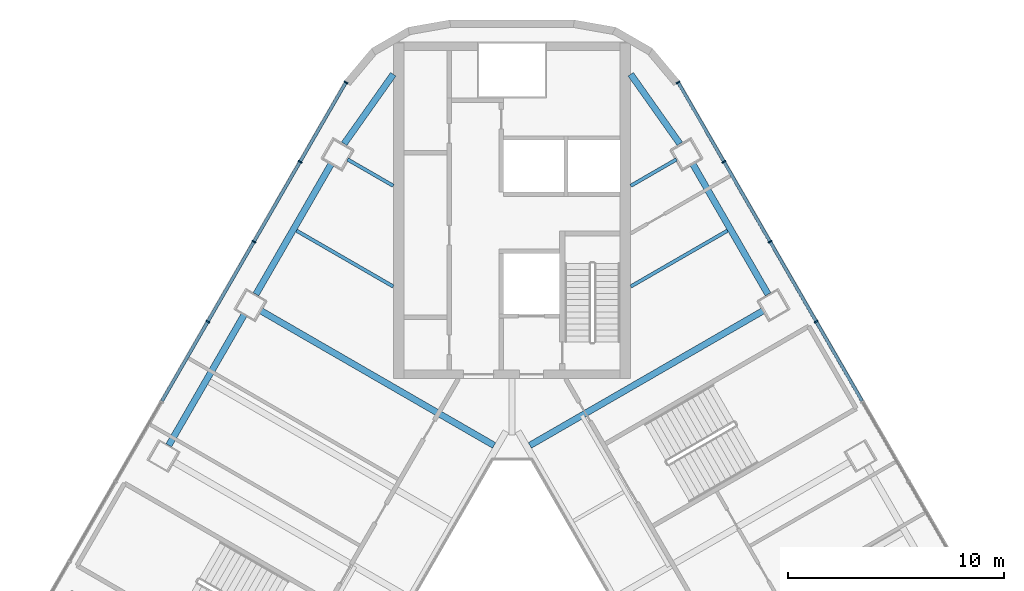
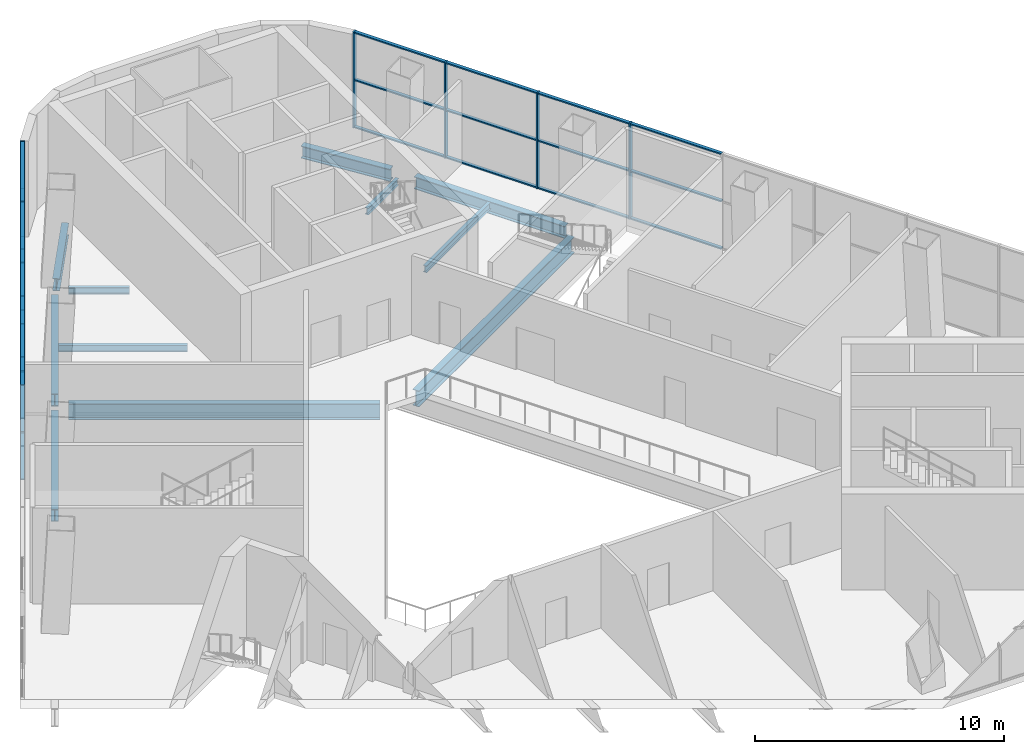
# One storey, part 5 of 13: 32 members, 11 beams, 2 elements without a shape of their own.
"""IFC4 building model written with IfcOpenShell, lengths in metres."""

from ifc_helpers import new_model, si_unit, direction, frame, origin, origin_2d, place, context, subcontext, project, spatial, rectangle, i_section, extrude, material, layer, layer_set, material_profile, profile_set, type_object, element, aggregate, save


model = new_model("IFC4")

# Units and contexts
model_context = context("Model", 3, precision=1e-05, world=origin(), true_north=direction((0.0, 1.0)))
body_context = subcontext(model_context, "Body", "Model", "MODEL_VIEW")
ifc_project = project(units=[si_unit("LENGTHUNIT", "METRE"), si_unit("AREAUNIT", "SQUARE_METRE"), si_unit("VOLUMEUNIT", "CUBIC_METRE"), si_unit("PLANEANGLEUNIT", "RADIAN"), si_unit("MASSUNIT", "GRAM", prefix="KILO")], contexts=[model_context])

# Site, building, storey
site_placement = place(None, origin())
site = spatial("IfcSite", under=ifc_project, at=site_placement, CompositionType="ELEMENT")
building_placement = place(site_placement, origin())
building = spatial("IfcBuilding", under=site, at=building_placement, Name="Apuvela Tower Hotel", CompositionType="ELEMENT")
storey_placement = place(building_placement, frame((0.0, 0.0, 23.5)))
storey = spatial("IfcBuildingStorey", under=building, at=storey_placement, Name="L03", CompositionType="ELEMENT", Elevation=23.5)

# Curtain wall, members
ifc_material_1 = material(Name="Aluminium 6063-T6, dark bronze anodised", Category="aluminium")
ifc_layer = layer(ifc_material_1, 0.199951171875)
ifc_layer_set = layer_set([ifc_layer], Name="ENV-CW-P")
curtain_wall_type = type_object("IfcCurtainWallType", Name="ENV-CW-P", PredefinedType="NOTDEFINED", material=ifc_layer_set)
curtain_wall_1_placement = place(storey_placement, origin())
curtain_wall_1 = element("IfcCurtainWall", 1, at=curtain_wall_1_placement, inside=storey, type_object=curtain_wall_type, Name="Curtain wall CW-P NE L03", PredefinedType="NOTDEFINED")
ifc_material_profile_1 = material_profile(ifc_material_1, rectangle(XDim=0.199951171875, YDim=0.06494140625, at=origin_2d()), Name="AL 65x200")
ifc_profile_set_1 = profile_set([ifc_material_profile_1], Name="Aluminium 6063-T6, dark bronze anodised")
member_type_1 = type_object("IfcMemberType", Name="ENV-MULLION-65x200", PredefinedType="MULLION", material=ifc_profile_set_1)
member_1_placement = place(storey_placement, frame((14.092529296875, 15.54296875, 0.0), z_axis=(0.0, 0.0, 1.0), x_axis=(-0.866025577183, -0.499999699665, 0.0)))
member_1 = element("IfcMember", 2, at=member_1_placement, type_object=member_type_1, Name="CW-P mullion 7", PredefinedType="MULLION", context=body_context, shape_type="SweptSolid", body=[
    extrude(rectangle(XDim=0.199951171875, YDim=0.06494140625, at=origin_2d()), origin(), (0.0, 0.0, 1.0), 4.699951171875),
])
member_2_placement = place(storey_placement, frame((11.954345703125, 19.246337890625, 0.0), z_axis=(0.0, 0.0, 1.0), x_axis=(-0.866025577183, -0.499999699665, 0.0)))
member_2 = element("IfcMember", 3, at=member_2_placement, type_object=member_type_1, Name="CW-P mullion 8", PredefinedType="MULLION", context=body_context, shape_type="SweptSolid", body=[
    extrude(rectangle(XDim=0.199951171875, YDim=0.06494140625, at=origin_2d()), origin(), (0.0, 0.0, 1.0), 4.699951171875),
])
member_3_placement = place(storey_placement, frame((9.816162109375, 22.94970703125, 0.0), z_axis=(0.0, 0.0, 1.0), x_axis=(-0.866025577183, -0.499999699665, 0.0)))
member_3 = element("IfcMember", 4, at=member_3_placement, type_object=member_type_1, Name="CW-P mullion 9", PredefinedType="MULLION", context=body_context, shape_type="SweptSolid", body=[
    extrude(rectangle(XDim=0.199951171875, YDim=0.06494140625, at=origin_2d()), origin(), (0.0, 0.0, 1.0), 4.699951171875),
])
member_4_placement = place(storey_placement, frame((7.6943359375, 26.625, 0.0), z_axis=(0.0, 0.0, 1.0), x_axis=(-0.866025577183, -0.499999699665, 0.0)))
member_4 = element("IfcMember", 5, at=member_4_placement, type_object=member_type_1, Name="CW-P mullion 10", PredefinedType="MULLION", context=body_context, shape_type="SweptSolid", body=[
    extrude(rectangle(XDim=0.199951171875, YDim=0.06494140625, at=origin_2d()), origin(), (0.0, 0.0, 1.0), 4.699951171875),
])

curtain_wall_2_placement = place(storey_placement, origin())
curtain_wall_2 = element("IfcCurtainWall", 6, at=curtain_wall_2_placement, inside=storey, type_object=curtain_wall_type, Name="Curtain wall CW-P NW L03", PredefinedType="NOTDEFINED")
member_5_placement = place(storey_placement, frame((-7.6943359375, 26.625, 0.0), z_axis=(0.0, 0.0, 1.0), x_axis=(0.866025577183, -0.499999699665, 0.0)))
member_5 = element("IfcMember", 7, at=member_5_placement, type_object=member_type_1, Name="CW-P mullion 1", PredefinedType="MULLION", context=body_context, shape_type="SweptSolid", body=[
    extrude(rectangle(XDim=0.199951171875, YDim=0.06494140625, at=origin_2d()), origin(), (0.0, 0.0, 1.0), 4.699951171875),
])
member_6_placement = place(storey_placement, frame((-9.816162109375, 22.94970703125, 0.0), z_axis=(0.0, 0.0, 1.0), x_axis=(0.866025577183, -0.499999699665, 0.0)))
member_6 = element("IfcMember", 8, at=member_6_placement, type_object=member_type_1, Name="CW-P mullion 2", PredefinedType="MULLION", context=body_context, shape_type="SweptSolid", body=[
    extrude(rectangle(XDim=0.199951171875, YDim=0.06494140625, at=origin_2d()), origin(), (0.0, 0.0, 1.0), 4.699951171875),
])
member_7_placement = place(storey_placement, frame((-11.954345703125, 19.246337890625, 0.0), z_axis=(0.0, 0.0, 1.0), x_axis=(0.866025577183, -0.499999699665, 0.0)))
member_7 = element("IfcMember", 9, at=member_7_placement, type_object=member_type_1, Name="CW-P mullion 3", PredefinedType="MULLION", context=body_context, shape_type="SweptSolid", body=[
    extrude(rectangle(XDim=0.199951171875, YDim=0.06494140625, at=origin_2d()), origin(), (0.0, 0.0, 1.0), 4.699951171875),
])
member_8_placement = place(storey_placement, frame((-14.092529296875, 15.54296875, 0.0), z_axis=(0.0, 0.0, 1.0), x_axis=(0.866025577183, -0.499999699665, 0.0)))
member_8 = element("IfcMember", 10, at=member_8_placement, type_object=member_type_1, Name="CW-P mullion 4", PredefinedType="MULLION", context=body_context, shape_type="SweptSolid", body=[
    extrude(rectangle(XDim=0.199951171875, YDim=0.06494140625, at=origin_2d()), origin(), (0.0, 0.0, 1.0), 4.699951171875),
])

# Member
ifc_material_profile_2 = material_profile(ifc_material_1, rectangle(XDim=0.14990234375, YDim=0.06494140625, at=origin_2d()), Name="AL 65x150 transom")
ifc_profile_set_2 = profile_set([ifc_material_profile_2], Name="Aluminium 6063-T6, dark bronze anodised")
member_type_2 = type_object("IfcMemberType", Name="ENV-TRANSOM-65x150", PredefinedType="USERDEFINED", material=ifc_profile_set_2)
member_9_placement = place(storey_placement, frame((16.21435546875, 11.867919921875, 0.032470703125), z_axis=(-0.499980071345, 0.866036909293, 0.0), x_axis=(-0.866036909293, -0.499980071345, 0.0)))
member_9 = element("IfcMember", 11, at=member_9_placement, type_object=member_type_2, Name="CW-P transom 6.1", ObjectType="TRANSOM", PredefinedType="USERDEFINED", context=body_context, shape_type="SweptSolid", body=[
    extrude(rectangle(XDim=0.14990234375, YDim=0.06494140625, at=origin_2d()), origin(), (0.0, 0.0, 1.0), 4.211181640625),
])

member_10_placement = place(storey_placement, frame((16.21435546875, 11.867919921875, 2.35009765625), z_axis=(-0.499980071345, 0.866036909293, 0.0), x_axis=(-0.866036909293, -0.499980071345, 0.0)))
member_10 = element("IfcMember", 12, at=member_10_placement, type_object=member_type_2, Name="CW-P transom 6.2", ObjectType="TRANSOM", PredefinedType="USERDEFINED", context=body_context, shape_type="SweptSolid", body=[
    extrude(rectangle(XDim=0.14990234375, YDim=0.06494140625, at=origin_2d()), origin(), (0.0, 0.0, 1.0), 4.211181640625),
])

member_11_placement = place(storey_placement, frame((16.21435546875, 11.867919921875, 4.66748046875), z_axis=(-0.499980071345, 0.866036909293, 0.0), x_axis=(-0.866036909293, -0.499980071345, 0.0)))
member_11 = element("IfcMember", 13, at=member_11_placement, type_object=member_type_2, Name="CW-P transom 6.3", ObjectType="TRANSOM", PredefinedType="USERDEFINED", context=body_context, shape_type="SweptSolid", body=[
    extrude(rectangle(XDim=0.14990234375, YDim=0.06494140625, at=origin_2d()), origin(), (0.0, 0.0, 1.0), 4.211181640625),
])

member_12_placement = place(storey_placement, frame((14.076171875, 15.5712890625, 0.032470703125), z_axis=(-0.499980071345, 0.866036909293, 0.0), x_axis=(-0.866036909293, -0.499980071345, 0.0)))
member_12 = element("IfcMember", 14, at=member_12_placement, type_object=member_type_2, Name="CW-P transom 7.1", ObjectType="TRANSOM", PredefinedType="USERDEFINED", context=body_context, shape_type="SweptSolid", body=[
    extrude(rectangle(XDim=0.14990234375, YDim=0.06494140625, at=origin_2d()), origin(), (0.0, 0.0, 1.0), 4.211181640625),
])

member_13_placement = place(storey_placement, frame((14.076171875, 15.5712890625, 2.35009765625), z_axis=(-0.499980071345, 0.866036909293, 0.0), x_axis=(-0.866036909293, -0.499980071345, 0.0)))
member_13 = element("IfcMember", 15, at=member_13_placement, type_object=member_type_2, Name="CW-P transom 7.2", ObjectType="TRANSOM", PredefinedType="USERDEFINED", context=body_context, shape_type="SweptSolid", body=[
    extrude(rectangle(XDim=0.14990234375, YDim=0.06494140625, at=origin_2d()), origin(), (0.0, 0.0, 1.0), 4.211181640625),
])

member_14_placement = place(storey_placement, frame((14.076171875, 15.5712890625, 4.66748046875), z_axis=(-0.499980071345, 0.866036909293, 0.0), x_axis=(-0.866036909293, -0.499980071345, 0.0)))
member_14 = element("IfcMember", 16, at=member_14_placement, type_object=member_type_2, Name="CW-P transom 7.3", ObjectType="TRANSOM", PredefinedType="USERDEFINED", context=body_context, shape_type="SweptSolid", body=[
    extrude(rectangle(XDim=0.14990234375, YDim=0.06494140625, at=origin_2d()), origin(), (0.0, 0.0, 1.0), 4.211181640625),
])

member_15_placement = place(storey_placement, frame((11.938232421875, 19.274658203125, 0.032470703125), z_axis=(-0.500023552179, 0.866011805501, 0.0), x_axis=(-0.866011805501, -0.500023552179, 0.0)))
member_15 = element("IfcMember", 17, at=member_15_placement, type_object=member_type_2, Name="CW-P transom 8.1", ObjectType="TRANSOM", PredefinedType="USERDEFINED", context=body_context, shape_type="SweptSolid", body=[
    extrude(rectangle(XDim=0.14990234375, YDim=0.06494140625, at=origin_2d()), origin(), (0.0, 0.0, 1.0), 4.211181640625),
])

member_16_placement = place(storey_placement, frame((11.938232421875, 19.274658203125, 2.35009765625), z_axis=(-0.500023552179, 0.866011805501, 0.0), x_axis=(-0.866011805501, -0.500023552179, 0.0)))
member_16 = element("IfcMember", 18, at=member_16_placement, type_object=member_type_2, Name="CW-P transom 8.2", ObjectType="TRANSOM", PredefinedType="USERDEFINED", context=body_context, shape_type="SweptSolid", body=[
    extrude(rectangle(XDim=0.14990234375, YDim=0.06494140625, at=origin_2d()), origin(), (0.0, 0.0, 1.0), 4.211181640625),
])

member_17_placement = place(storey_placement, frame((11.938232421875, 19.274658203125, 4.66748046875), z_axis=(-0.500023552179, 0.866011805501, 0.0), x_axis=(-0.866011805501, -0.500023552179, 0.0)))
member_17 = element("IfcMember", 19, at=member_17_placement, type_object=member_type_2, Name="CW-P transom 8.3", ObjectType="TRANSOM", PredefinedType="USERDEFINED", context=body_context, shape_type="SweptSolid", body=[
    extrude(rectangle(XDim=0.14990234375, YDim=0.06494140625, at=origin_2d()), origin(), (0.0, 0.0, 1.0), 4.211181640625),
])

member_18_placement = place(storey_placement, frame((9.800048828125, 22.97802734375, 0.032470703125), z_axis=(-0.499997237676, 0.866026998607, 0.0), x_axis=(-0.866026998607, -0.499997237676, 0.0)))
member_18 = element("IfcMember", 20, at=member_18_placement, type_object=member_type_2, Name="CW-P transom 9.1", ObjectType="TRANSOM", PredefinedType="USERDEFINED", context=body_context, shape_type="SweptSolid", body=[
    extrude(rectangle(XDim=0.14990234375, YDim=0.06494140625, at=origin_2d()), origin(), (0.0, 0.0, 1.0), 4.1787109375),
])

member_19_placement = place(storey_placement, frame((9.800048828125, 22.97802734375, 2.35009765625), z_axis=(-0.499997237676, 0.866026998607, 0.0), x_axis=(-0.866026998607, -0.499997237676, 0.0)))
member_19 = element("IfcMember", 21, at=member_19_placement, type_object=member_type_2, Name="CW-P transom 9.2", ObjectType="TRANSOM", PredefinedType="USERDEFINED", context=body_context, shape_type="SweptSolid", body=[
    extrude(rectangle(XDim=0.14990234375, YDim=0.06494140625, at=origin_2d()), origin(), (0.0, 0.0, 1.0), 4.1787109375),
])

member_20_placement = place(storey_placement, frame((9.800048828125, 22.97802734375, 4.66748046875), z_axis=(-0.499997237676, 0.866026998607, 0.0), x_axis=(-0.866026998607, -0.499997237676, 0.0)))
member_20 = element("IfcMember", 22, at=member_20_placement, type_object=member_type_2, Name="CW-P transom 9.3", ObjectType="TRANSOM", PredefinedType="USERDEFINED", context=body_context, shape_type="SweptSolid", body=[
    extrude(rectangle(XDim=0.14990234375, YDim=0.06494140625, at=origin_2d()), origin(), (0.0, 0.0, 1.0), 4.1787109375),
])

aggregate(curtain_wall_1, [member_1, member_2, member_3, member_4, member_9, member_10, member_11, member_12, member_13, member_14, member_15, member_16, member_17, member_18, member_19, member_20])

member_21_placement = place(storey_placement, frame((-7.710693359375, 26.596923828125, 0.032470703125), z_axis=(-0.499997237676, -0.866026998607, 0.0), x_axis=(0.866026998607, -0.499997237676, 0.0)))
member_21 = element("IfcMember", 23, at=member_21_placement, type_object=member_type_2, Name="CW-P transom 1.1", ObjectType="TRANSOM", PredefinedType="USERDEFINED", context=body_context, shape_type="SweptSolid", body=[
    extrude(rectangle(XDim=0.14990234375, YDim=0.06494140625, at=origin_2d()), origin(), (0.0, 0.0, 1.0), 4.1787109375),
])

member_22_placement = place(storey_placement, frame((-7.710693359375, 26.596923828125, 2.35009765625), z_axis=(-0.499997237676, -0.866026998607, 0.0), x_axis=(0.866026998607, -0.499997237676, 0.0)))
member_22 = element("IfcMember", 24, at=member_22_placement, type_object=member_type_2, Name="CW-P transom 1.2", ObjectType="TRANSOM", PredefinedType="USERDEFINED", context=body_context, shape_type="SweptSolid", body=[
    extrude(rectangle(XDim=0.14990234375, YDim=0.06494140625, at=origin_2d()), origin(), (0.0, 0.0, 1.0), 4.1787109375),
])

member_23_placement = place(storey_placement, frame((-7.710693359375, 26.596923828125, 4.66748046875), z_axis=(-0.499997237676, -0.866026998607, 0.0), x_axis=(0.866026998607, -0.499997237676, 0.0)))
member_23 = element("IfcMember", 25, at=member_23_placement, type_object=member_type_2, Name="CW-P transom 1.3", ObjectType="TRANSOM", PredefinedType="USERDEFINED", context=body_context, shape_type="SweptSolid", body=[
    extrude(rectangle(XDim=0.14990234375, YDim=0.06494140625, at=origin_2d()), origin(), (0.0, 0.0, 1.0), 4.1787109375),
])

member_24_placement = place(storey_placement, frame((-9.83251953125, 22.921630859375, 0.032470703125), z_axis=(-0.500023552179, -0.866011805501, 0.0), x_axis=(0.866011805501, -0.500023552179, 0.0)))
member_24 = element("IfcMember", 26, at=member_24_placement, type_object=member_type_2, Name="CW-P transom 2.1", ObjectType="TRANSOM", PredefinedType="USERDEFINED", context=body_context, shape_type="SweptSolid", body=[
    extrude(rectangle(XDim=0.14990234375, YDim=0.06494140625, at=origin_2d()), origin(), (0.0, 0.0, 1.0), 4.211181640625),
])

member_25_placement = place(storey_placement, frame((-9.83251953125, 22.921630859375, 2.35009765625), z_axis=(-0.500023552179, -0.866011805501, 0.0), x_axis=(0.866011805501, -0.500023552179, 0.0)))
member_25 = element("IfcMember", 27, at=member_25_placement, type_object=member_type_2, Name="CW-P transom 2.2", ObjectType="TRANSOM", PredefinedType="USERDEFINED", context=body_context, shape_type="SweptSolid", body=[
    extrude(rectangle(XDim=0.14990234375, YDim=0.06494140625, at=origin_2d()), origin(), (0.0, 0.0, 1.0), 4.211181640625),
])

member_26_placement = place(storey_placement, frame((-9.83251953125, 22.921630859375, 4.66748046875), z_axis=(-0.500023552179, -0.866011805501, 0.0), x_axis=(0.866011805501, -0.500023552179, 0.0)))
member_26 = element("IfcMember", 28, at=member_26_placement, type_object=member_type_2, Name="CW-P transom 2.3", ObjectType="TRANSOM", PredefinedType="USERDEFINED", context=body_context, shape_type="SweptSolid", body=[
    extrude(rectangle(XDim=0.14990234375, YDim=0.06494140625, at=origin_2d()), origin(), (0.0, 0.0, 1.0), 4.211181640625),
])

member_27_placement = place(storey_placement, frame((-11.970703125, 19.21826171875, 0.032470703125), z_axis=(-0.499980071345, -0.866036909293, 0.0), x_axis=(0.866036909293, -0.499980071345, 0.0)))
member_27 = element("IfcMember", 29, at=member_27_placement, type_object=member_type_2, Name="CW-P transom 3.1", ObjectType="TRANSOM", PredefinedType="USERDEFINED", context=body_context, shape_type="SweptSolid", body=[
    extrude(rectangle(XDim=0.14990234375, YDim=0.06494140625, at=origin_2d()), origin(), (0.0, 0.0, 1.0), 4.211181640625),
])

member_28_placement = place(storey_placement, frame((-11.970703125, 19.21826171875, 2.35009765625), z_axis=(-0.499980071345, -0.866036909293, 0.0), x_axis=(0.866036909293, -0.499980071345, 0.0)))
member_28 = element("IfcMember", 30, at=member_28_placement, type_object=member_type_2, Name="CW-P transom 3.2", ObjectType="TRANSOM", PredefinedType="USERDEFINED", context=body_context, shape_type="SweptSolid", body=[
    extrude(rectangle(XDim=0.14990234375, YDim=0.06494140625, at=origin_2d()), origin(), (0.0, 0.0, 1.0), 4.211181640625),
])

member_29_placement = place(storey_placement, frame((-11.970703125, 19.21826171875, 4.66748046875), z_axis=(-0.499980071345, -0.866036909293, 0.0), x_axis=(0.866036909293, -0.499980071345, 0.0)))
member_29 = element("IfcMember", 31, at=member_29_placement, type_object=member_type_2, Name="CW-P transom 3.3", ObjectType="TRANSOM", PredefinedType="USERDEFINED", context=body_context, shape_type="SweptSolid", body=[
    extrude(rectangle(XDim=0.14990234375, YDim=0.06494140625, at=origin_2d()), origin(), (0.0, 0.0, 1.0), 4.211181640625),
])

member_30_placement = place(storey_placement, frame((-14.10888671875, 15.514892578125, 0.032470703125), z_axis=(-0.499980071345, -0.866036909293, 0.0), x_axis=(0.866036909293, -0.499980071345, 0.0)))
member_30 = element("IfcMember", 32, at=member_30_placement, type_object=member_type_2, Name="CW-P transom 4.1", ObjectType="TRANSOM", PredefinedType="USERDEFINED", context=body_context, shape_type="SweptSolid", body=[
    extrude(rectangle(XDim=0.14990234375, YDim=0.06494140625, at=origin_2d()), origin(), (0.0, 0.0, 1.0), 4.211181640625),
])

member_31_placement = place(storey_placement, frame((-14.10888671875, 15.514892578125, 2.35009765625), z_axis=(-0.499980071345, -0.866036909293, 0.0), x_axis=(0.866036909293, -0.499980071345, 0.0)))
member_31 = element("IfcMember", 33, at=member_31_placement, type_object=member_type_2, Name="CW-P transom 4.2", ObjectType="TRANSOM", PredefinedType="USERDEFINED", context=body_context, shape_type="SweptSolid", body=[
    extrude(rectangle(XDim=0.14990234375, YDim=0.06494140625, at=origin_2d()), origin(), (0.0, 0.0, 1.0), 4.211181640625),
])

member_32_placement = place(storey_placement, frame((-14.10888671875, 15.514892578125, 4.66748046875), z_axis=(-0.499980071345, -0.866036909293, 0.0), x_axis=(0.866036909293, -0.499980071345, 0.0)))
member_32 = element("IfcMember", 34, at=member_32_placement, type_object=member_type_2, Name="CW-P transom 4.3", ObjectType="TRANSOM", PredefinedType="USERDEFINED", context=body_context, shape_type="SweptSolid", body=[
    extrude(rectangle(XDim=0.14990234375, YDim=0.06494140625, at=origin_2d()), origin(), (0.0, 0.0, 1.0), 4.211181640625),
])

aggregate(curtain_wall_2, [member_5, member_6, member_7, member_8, member_21, member_22, member_23, member_24, member_25, member_26, member_27, member_28, member_29, member_30, member_31, member_32])

# Beams
ifc_material_2 = material(Name="Steel S355", Category="steel")
ifc_material_profile_3 = material_profile(ifc_material_2, i_section(OverallWidth=0.300048828125, OverallDepth=0.7900390625, WebThickness=0.014892578125, FlangeThickness=0.028076171875, at=origin_2d()), Name="HE 800 A")
ifc_profile_set_3 = profile_set([ifc_material_profile_3], Name="Steel S355")
beam_type_1 = type_object("IfcBeamType", Name="STR-B floor beam HE 800 A", PredefinedType="BEAM", material=ifc_profile_set_3)
for number, where, z_axis, x_axis, name in (
    (35, (11.65771484375, 16.06005859375, -0.695068359375), (-0.866023660758, -0.500003018999, 0.0), (0.500003018999, -0.866023660758, 0.0), "Floor beam B5 NE7"),
    (36, (-11.65771484375, 16.06005859375, -0.695068359375), (0.866023660758, -0.500003018999, 0.0), (0.500003018999, 0.866023660758, 0.0), "Floor beam B5 NW3"),
):
    element("IfcBeam", number, at=place(storey_placement, frame(where, z_axis=z_axis, x_axis=x_axis)), inside=storey, type_object=beam_type_1, Name=name, PredefinedType="BEAM", context=body_context, shape_type="SweptSolid", body=[
        extrude(i_section(OverallWidth=0.300048828125, OverallDepth=0.7900390625, WebThickness=0.014892578125, FlangeThickness=0.028076171875, at=origin_2d()), origin(), (0.0, 0.0, 1.0), 12.50390625),
    ])
ifc_material_profile_4 = material_profile(ifc_material_2, i_section(OverallWidth=0.159912109375, OverallDepth=0.330078125, WebThickness=0.007568359375, FlangeThickness=0.011474609375, at=origin_2d()), Name="IPE 330")
ifc_profile_set_4 = profile_set([ifc_material_profile_4], Name="Steel S355")
beam_type_2 = type_object("IfcBeamType", Name="STR-B floor beam IPE 330", PredefinedType="BEAM", material=ifc_profile_set_4)
beam_1_placement = place(storey_placement, frame((9.984375, 19.758544921875, -0.465087890625), z_axis=(-0.866020702889, -0.500008142102, 0.0), x_axis=(0.500008142102, -0.866020702889, 0.0)))
element("IfcBeam", 37, at=beam_1_placement, inside=storey, type_object=beam_type_2, Name="Floor beam B1 NE8", PredefinedType="BEAM", context=body_context, shape_type="SweptSolid", body=[
    extrude(i_section(OverallWidth=0.159912109375, OverallDepth=0.330078125, WebThickness=0.007568359375, FlangeThickness=0.011474609375, at=origin_2d()), origin(), (0.0, 0.0, 1.0), 5.17822265625),
])
for number, where, z_axis, x_axis, name in (
    (38, (7.6181640625, 23.05712890625, -0.465087890625), (-0.866029334251, -0.49999319217, 0.0), (0.49999319217, -0.866029334251, 0.0), "Floor beam B1 NE9"),
    (39, (-7.6181640625, 23.05712890625, -0.465087890625), (0.866029334251, -0.49999319217, 0.0), (0.49999319217, 0.866029334251, 0.0), "Floor beam B1 NW1"),
):
    element("IfcBeam", number, at=place(storey_placement, frame(where, z_axis=z_axis, x_axis=x_axis)), inside=storey, type_object=beam_type_2, Name=name, PredefinedType="BEAM", context=body_context, shape_type="SweptSolid", body=[
        extrude(i_section(OverallWidth=0.159912109375, OverallDepth=0.330078125, WebThickness=0.007568359375, FlangeThickness=0.011474609375, at=origin_2d()), origin(), (0.0, 0.0, 1.0), 2.44580078125),
    ])
beam_2_placement = place(storey_placement, frame((-9.984375, 19.758544921875, -0.465087890625), z_axis=(0.866020702889, -0.500008142102, 0.0), x_axis=(0.500008142102, 0.866020702889, 0.0)))
element("IfcBeam", 40, at=beam_2_placement, inside=storey, type_object=beam_type_2, Name="Floor beam B1 NW2", PredefinedType="BEAM", context=body_context, shape_type="SweptSolid", body=[
    extrude(i_section(OverallWidth=0.159912109375, OverallDepth=0.330078125, WebThickness=0.007568359375, FlangeThickness=0.011474609375, at=origin_2d()), origin(), (0.0, 0.0, 1.0), 5.17822265625),
])
ifc_material_profile_5 = material_profile(ifc_material_2, i_section(OverallWidth=0.300048828125, OverallDepth=0.60009765625, WebThickness=0.015380859375, FlangeThickness=0.030029296875, at=origin_2d()), Name="HE 600 B")
ifc_profile_set_5 = profile_set([ifc_material_profile_5], Name="Steel S355")
beam_type_3 = type_object("IfcBeamType", Name="STR-SB spandrel beam HE 600 B", PredefinedType="SPANDREL", material=ifc_profile_set_5)
for number, where, z_axis, x_axis, name in (
    (41, (11.859130859375, 16.811279296875, -0.60009765625), (-0.499999004009, 0.86602597882, 0.0), (-0.86602597882, -0.499999004009, 0.0), "Spandrel beam SB1 NE4"),
    (42, (-8.369384765625, 22.855712890625, -0.60009765625), (-0.499999004009, -0.86602597882, 0.0), (0.86602597882, -0.499999004009, 0.0), "Spandrel beam SB1 NW1"),
    (43, (-12.4091796875, 15.858642578125, -0.60009765625), (-0.499999004009, -0.86602597882, 0.0), (0.86602597882, -0.499999004009, 0.0), "Spandrel beam SB1 NW2"),
):
    element("IfcBeam", number, at=place(storey_placement, frame(where, z_axis=z_axis, x_axis=x_axis)), inside=storey, type_object=beam_type_3, Name=name, PredefinedType="SPANDREL", context=body_context, shape_type="SweptSolid", body=[
        extrude(i_section(OverallWidth=0.300048828125, OverallDepth=0.60009765625, WebThickness=0.015380859375, FlangeThickness=0.030029296875, at=origin_2d()), origin(), (0.0, 0.0, 1.0), 6.9794921875),
    ])
for number, where, z_axis, x_axis, name in (
    (44, (7.775390625, 23.782958984375, -0.60009765625), (-0.577451626267, 0.816424901214, 0.0), (-0.816424901214, -0.577451626267, 0.0), "Spandrel beam SB1 NE5-N"),
    (45, (-7.775390625, 23.782958984375, -0.60009765625), (0.577451626267, 0.816424901214, 0.0), (-0.816424901214, 0.577451626267, 0.0), "Spandrel beam SB1 NW1-N"),
):
    element("IfcBeam", number, at=place(storey_placement, frame(where, z_axis=z_axis, x_axis=x_axis)), inside=storey, type_object=beam_type_3, Name=name, PredefinedType="SPANDREL", context=body_context, shape_type="SweptSolid", body=[
        extrude(i_section(OverallWidth=0.300048828125, OverallDepth=0.60009765625, WebThickness=0.015380859375, FlangeThickness=0.030029296875, at=origin_2d()), origin(), (0.0, 0.0, 1.0), 3.9404296875),
    ])

save(model, "model.ifc")
